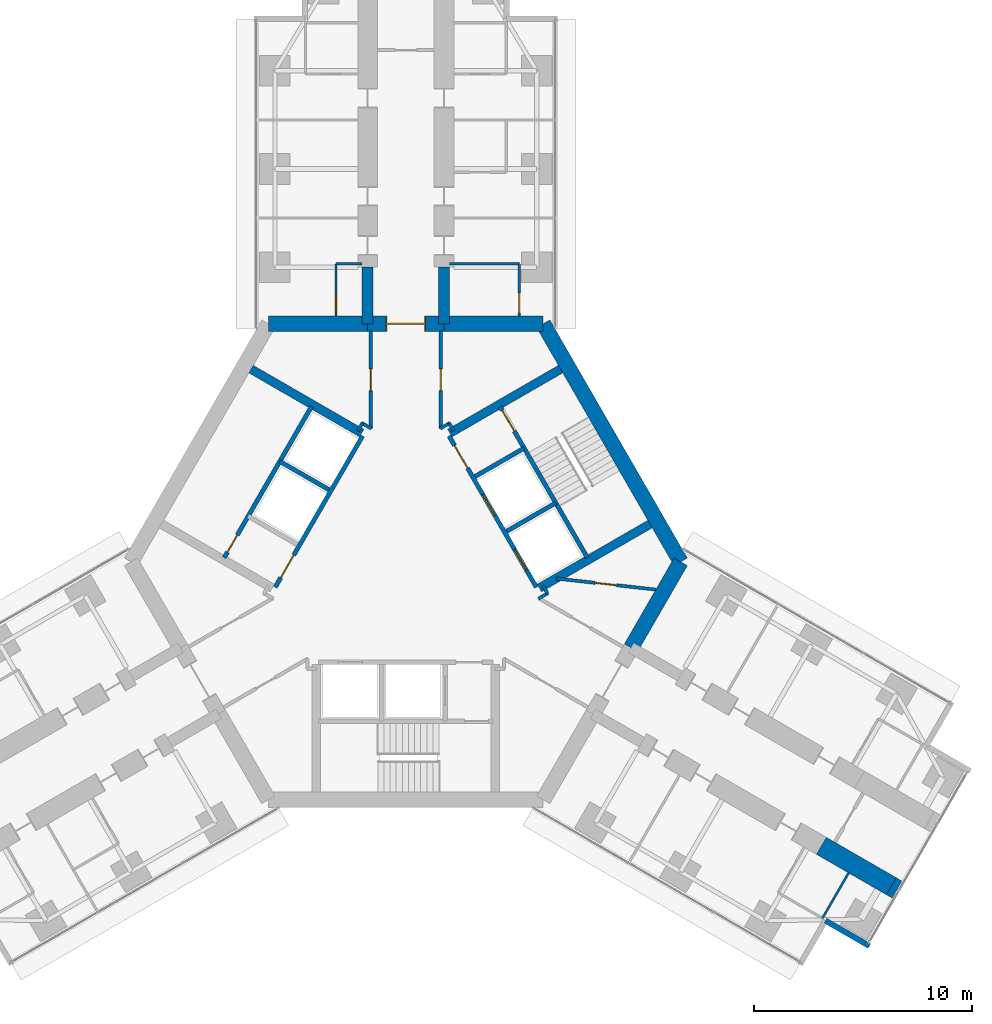
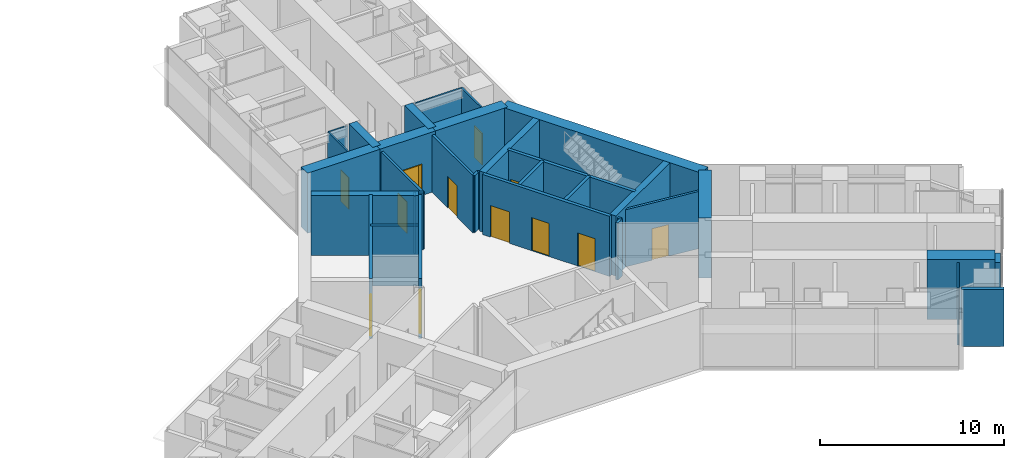
# One storey, part 22 of 25: 34 walls, 12 doors, 12 openings.
"""IFC4 building model written with IfcOpenShell, lengths in metres."""

import ifcopenshell
import ifcopenshell.guid

model = None  # the IFC model being written
_history = None  # IfcOwnerHistory: only IFC2X3 demands one
_inside = {}  # id of a spatial element -> (the spatial element, [elements in it])
_under = {}  # id of a project, library or spatial element -> (it, [spatial elements below it])
_declared = {}  # id of a project -> (the project, [libraries it declares])
_typed = {}  # id of a type object -> (the type object, [elements of that type])
_made_of = {}  # id of a material, layer set ... -> (it, [elements and type objects made of it])


def new_model(schema):
    """Start an empty IFC model of exactly this schema.

    Asked for "IFC4X3", IfcOpenShell would pick the latest addendum, in which some entities
    have other attributes; the version numbers below select the first issue.
    IFC2X3 requires an IfcOwnerHistory on every rooted entity: one is made here for all.
    """
    global model, _history
    if schema == "IFC4X3":
        model = ifcopenshell.file(schema_version=(4, 3, 0, 0))
    else:
        model = ifcopenshell.file(schema=schema)
    _inside.clear()
    _under.clear()
    _declared.clear()
    _typed.clear()
    _made_of.clear()
    _history = None
    if model.schema == "IFC2X3":
        org = make("IfcOrganization", Name="unknown")
        user = make(
            "IfcPersonAndOrganization",
            ThePerson=make("IfcPerson", FamilyName="unknown"),
            TheOrganization=org,
        )
        app = make(
            "IfcApplication",
            ApplicationDeveloper=org,
            Version="unknown",
            ApplicationFullName="unknown",
            ApplicationIdentifier="unknown",
        )
        _history = make(
            "IfcOwnerHistory",
            OwningUser=user,
            OwningApplication=app,
            ChangeAction="ADDED",
            CreationDate=0,
        )
    return model


def make(cls, **values):
    """One entity of the class cls with the attributes given. An attribute that is None is left unset."""
    return model.create_entity(
        cls, **{name: value for name, value in values.items() if value is not None}
    )


def rooted(cls, **values):
    """An entity with a GlobalId (a new one), such as an element, a storey or a relation."""
    return make(cls, GlobalId=ifcopenshell.guid.new(), OwnerHistory=_history, **values)


def si_unit(unit_type, name, prefix=None):
    """IfcSIUnit, for example si_unit("LENGTHUNIT", "METRE", prefix="MILLI")."""
    return make("IfcSIUnit", UnitType=unit_type, Prefix=prefix, Name=name)


def assignment(units):
    """IfcUnitAssignment: the units of a project."""
    return None if units is None else make("IfcUnitAssignment", Units=units)


def point(xyz):
    """IfcCartesianPoint."""
    return None if xyz is None else make("IfcCartesianPoint", Coordinates=xyz)


def direction(xyz):
    """IfcDirection."""
    return None if xyz is None else make("IfcDirection", DirectionRatios=xyz)


def frame(location, z_axis=None, x_axis=None):
    """IfcAxis2Placement3D, a coordinate frame: its origin and axes. An axis left out is left unset."""
    return make(
        "IfcAxis2Placement3D",
        Location=point(location),
        Axis=direction(z_axis),
        RefDirection=direction(x_axis),
    )


def frame_2d(location, x_axis=None):
    """IfcAxis2Placement2D, a coordinate frame in the plane: its origin and x axis."""
    return make(
        "IfcAxis2Placement2D", Location=point(location), RefDirection=direction(x_axis)
    )


def origin():
    """The frame at (0, 0, 0) with its axes left unset."""
    return frame((0.0, 0.0, 0.0))


def place(relative_to, where):
    """IfcLocalPlacement: puts the frame where relative to a parent placement (None: the world)."""
    return make(
        "IfcLocalPlacement", PlacementRelTo=relative_to, RelativePlacement=where
    )


def context(
    kind, dimensions, precision=None, world=None, true_north=None, identifier=None
):
    """IfcGeometricRepresentationContext, for example the 3D "Model" context."""
    return make(
        "IfcGeometricRepresentationContext",
        ContextIdentifier=identifier,
        ContextType=kind,
        CoordinateSpaceDimension=dimensions,
        Precision=precision,
        WorldCoordinateSystem=world,
        TrueNorth=true_north,
    )


def subcontext(parent, identifier, kind, view, scale=None):
    """IfcGeometricRepresentationSubContext, for example "Body" below "Model"."""
    return make(
        "IfcGeometricRepresentationSubContext",
        ContextIdentifier=identifier,
        ContextType=kind,
        ParentContext=parent,
        TargetScale=scale,
        TargetView=view,
    )


def project(units=None, contexts=None):
    """IfcProject with its units and contexts."""
    return rooted(
        "IfcProject",
        Name="project",
        RepresentationContexts=contexts,
        UnitsInContext=assignment(units),
    )


def spatial(cls, under=None, at=None, **own):
    """A site, building, storey or space (cls), placed at a placement, below another one or the project."""
    s = rooted(cls, ObjectPlacement=at, **own)
    if under is not None:
        _under.setdefault(under.id(), (under, []))[1].append(s)
    return s


def profile(cls, at=None, kind="AREA", **sizes):
    """A parametric profile (cls). Its sizes go by their IFC names, for example OverallWidth=200.0."""
    return make(cls, ProfileType=kind, Position=at, **sizes)


def rectangle(**sizes):
    """IfcRectangleProfileDef."""
    return profile("IfcRectangleProfileDef", **sizes)


def extrude(swept, where, along, depth):
    """IfcExtrudedAreaSolid: the profile swept, set in the frame where, extruded along a direction by depth."""
    return make(
        "IfcExtrudedAreaSolid",
        SweptArea=swept,
        Position=where,
        ExtrudedDirection=direction(along),
        Depth=depth,
    )


def shape(context_of_items, identifier, shape_type, items):
    """IfcShapeRepresentation: the items that make up one representation, for example the "Body"."""
    return make(
        "IfcShapeRepresentation",
        ContextOfItems=context_of_items,
        RepresentationIdentifier=identifier,
        RepresentationType=shape_type,
        Items=items,
    )


def material(Name=None, Category=None):
    """IfcMaterial."""
    return make("IfcMaterial", Name=Name, Category=Category)


def layer(
    of_material, thickness, ventilated=None, Name=None, Category=None, Priority=None
):
    """IfcMaterialLayer: one layer of a wall or slab, of a material (None: an air gap)."""
    return make(
        "IfcMaterialLayer",
        Material=of_material,
        LayerThickness=thickness,
        IsVentilated=ventilated,
        Name=Name,
        Category=Category,
        Priority=Priority,
    )


def layer_set(layers, Name=None):
    """IfcMaterialLayerSet."""
    return make("IfcMaterialLayerSet", MaterialLayers=layers, LayerSetName=Name)


def made_of(thing, what):
    """Note that an element or type object is made of a material, layer set ...; save() writes the relation."""
    if what is not None:
        _made_of.setdefault(what.id(), (what, []))[1].append(thing)
    return thing


def type_object(cls, material=None, **own):
    """A type object (cls), such as IfcWallType, which elements share."""
    return made_of(rooted(cls, **own), material)


def element(
    cls,
    number,
    at=None,
    inside=None,
    cuts=None,
    type_object=None,
    material=None,
    context=None,
    identifier="Body",
    shape_type=None,
    held_by="IfcProductDefinitionShape",
    body=None,
    shapes=None,
    **own,
):
    """One element of the class cls, such as IfcWall. Its Tag is "e" and its number.

    at: its placement. inside: the storey or other place that contains it. cuts: it is an
    opening in that element (IfcRelVoidsElement). A single representation is given by context,
    identifier, shape_type and body (its items); several are given by shapes. held_by: the class
    of the entity that holds the representations. save() writes the other relations.
    """
    e = rooted(cls, Tag="e%d" % number, ObjectPlacement=at, **own)
    if body is not None:
        shapes = [shape(context, identifier, shape_type, body)]
    if shapes is not None:
        e.Representation = make(held_by, Representations=shapes)
    if inside is not None:
        _inside.setdefault(inside.id(), (inside, []))[1].append(e)
    if cuts is not None:
        rooted(
            "IfcRelVoidsElement", RelatingBuildingElement=cuts, RelatedOpeningElement=e
        )
    if type_object is not None:
        _typed.setdefault(type_object.id(), (type_object, []))[1].append(e)
    return made_of(e, material)


def fill(opening, filler):
    """IfcRelFillsElement: the door or window that sits in an opening."""
    return rooted(
        "IfcRelFillsElement",
        RelatingOpeningElement=opening,
        RelatedBuildingElement=filler,
    )


def aggregate(whole, parts):
    """IfcRelAggregates: a whole, such as a stair, and the parts it consists of."""
    return rooted("IfcRelAggregates", RelatingObject=whole, RelatedObjects=parts)


def save(model, path):
    """Write the relations noted so far, then the file.

    IfcRelAggregates (storeys below a building ...), IfcRelContainedInSpatialStructure (elements
    in a storey), IfcRelDefinesByType, IfcRelAssociatesMaterial and IfcRelDeclares: one each for
    every whole, place, type object, material and project.
    """
    for whole, parts in _under.values():
        aggregate(whole, parts)
    for where, things in _inside.values():
        rooted(
            "IfcRelContainedInSpatialStructure",
            RelatedElements=things,
            RelatingStructure=where,
        )
    for kind, things in _typed.values():
        rooted("IfcRelDefinesByType", RelatedObjects=things, RelatingType=kind)
    for what, things in _made_of.values():
        rooted("IfcRelAssociatesMaterial", RelatedObjects=things, RelatingMaterial=what)
    for by, libraries in _declared.values():
        rooted("IfcRelDeclares", RelatingContext=by, RelatedDefinitions=libraries)
    model.write(path)


model = new_model("IFC4")

# Units and contexts
model_context = context("Model", 3, precision=1e-05, world=origin(), true_north=direction((0.0, 1.0)))
body_context = subcontext(model_context, "Body", "Model", "MODEL_VIEW")
ifc_project = project(units=[si_unit("LENGTHUNIT", "METRE"), si_unit("AREAUNIT", "SQUARE_METRE"), si_unit("VOLUMEUNIT", "CUBIC_METRE"), si_unit("PLANEANGLEUNIT", "RADIAN"), si_unit("MASSUNIT", "GRAM", prefix="KILO")], contexts=[model_context])

# Site, building, storey
site_placement = place(None, origin())
site = spatial("IfcSite", under=ifc_project, at=site_placement, CompositionType="ELEMENT")
building_placement = place(site_placement, origin())
building = spatial("IfcBuilding", under=site, at=building_placement, Name="Upepo Twin Towers", CompositionType="ELEMENT")
storey_placement = place(building_placement, frame((0.0, 0.0, 76.5)))
storey = spatial("IfcBuildingStorey", under=building, at=storey_placement, Name="L18", CompositionType="ELEMENT", Elevation=76.5)

# Walls
ifc_material_1 = material(Name="Dense concrete blockwork", Category="masonry")
ifc_layer_1 = layer(ifc_material_1, 0.89990234375)
ifc_layer_set_1 = layer_set([ifc_layer_1], Name="Buttress closer 900, blockwork with fire-stopping to the curtain wall")
wall_type_1 = type_object("IfcWallType", Name="Buttress closer 900, blockwork with fire-stopping to the curtain wall", PredefinedType="PARTITIONING", material=ifc_layer_set_1)
wall_1_placement = place(storey_placement, frame((80.747802734375, -32.865478515625, 0.0), z_axis=(0.0, 0.0, 1.0), x_axis=(0.866054481515, -0.499949632511, 0.0)))
element("IfcWall", 1, at=wall_1_placement, inside=storey, type_object=wall_type_1, Name="T2 L18 wing C buttress closer R", PredefinedType="PARTITIONING", context=body_context, shape_type="SweptSolid", body=[
    extrude(rectangle(XDim=0.31005859375, YDim=0.89990234375, at=frame_2d((0.155029296875, 0.0))), origin(), (0.0, 0.0, 1.0), 3.800048828125),
])
ifc_material_2 = material(Name="Concrete C60/75", Category="concrete")
ifc_layer_2 = layer(ifc_material_2, 0.5)
ifc_layer_set_2 = layer_set([ifc_layer_2], Name="Concrete C60/75")
wall_type_2 = type_object("IfcWallType", Name="Buttress wall 500 RC", PredefinedType="SHEAR", material=ifc_layer_set_2)
for number, where, z_axis, x_axis, name in (
    (2, (56.75, -7.091552734375, 0.0), (0.0, 0.0, 1.0), (0.0, 1.0, 0.0), "T2 wing A buttress wall L"),
    (3, (60.25, -7.091552734375, 0.0), (0.0, 0.0, 1.0), (0.0, 1.0, 0.0), "T2 wing A buttress wall R"),
):
    element("IfcWall", number, at=place(storey_placement, frame(where, z_axis=z_axis, x_axis=x_axis)), inside=storey, type_object=wall_type_2, Name=name, PredefinedType="SHEAR", context=body_context, shape_type="SweptSolid", body=[
        extrude(rectangle(XDim=2.591552734375, YDim=0.5, at=frame_2d((1.2958984375, 0.0))), origin(), (0.0, 0.0, 1.0), 4.0),
    ])
ifc_material_3 = material(Name="Concrete C60/75", Category="concrete")
ifc_layer_3 = layer(ifc_material_3, 0.89990234375)
ifc_layer_set_3 = layer_set([ifc_layer_3], Name="Concrete C60/75")
wall_type_3 = type_object("IfcWallType", Name="Buttress wall 900 RC", PredefinedType="SHEAR", material=ifc_layer_set_3)
wall_2_placement = place(storey_placement, frame((77.543701171875, -31.015625, 0.0), z_axis=(0.0, 0.0, 1.0), x_axis=(0.866029545028, -0.499992827086, 0.0)))
element("IfcWall", 4, at=wall_2_placement, inside=storey, type_object=wall_type_3, Name="T2 wing C buttress wall R part 3", PredefinedType="SHEAR", context=body_context, shape_type="SweptSolid", body=[
    extrude(rectangle(XDim=3.69970703125, YDim=0.89990234375, at=frame_2d((1.849853515625, 0.0))), origin(), (0.0, 0.0, 1.0), 4.0),
])
ifc_material_4 = material(Name="Concrete C60/75", Category="concrete")
ifc_layer_4 = layer(ifc_material_4, 0.699951171875)
ifc_layer_set_4 = layer_set([ifc_layer_4], Name="Concrete C60/75")
wall_type_4 = type_object("IfcWallType", Name="Core wall 700 RC", PredefinedType="SHEAR", material=ifc_layer_set_4)
wall_3_placement = place(storey_placement, frame((64.7978515625, -7.091552734375, 0.0), z_axis=(0.0, 0.0, 1.0), x_axis=(-1.0, 0.0, 0.0)))
element("IfcWall", 5, at=wall_3_placement, inside=storey, type_object=wall_type_4, Name="T2 core wall 000 R", PredefinedType="SHEAR", context=body_context, shape_type="SweptSolid", body=[
    extrude(rectangle(XDim=4.5478515625, YDim=0.699951171875, at=frame_2d((2.27392578125, 0.0))), origin(), (0.0, 0.0, 1.0), 4.0),
])

# Wall, opening, door
wall_4_placement = place(storey_placement, frame((60.25, -7.091552734375, 0.0), z_axis=(0.0, 0.0, 1.0), x_axis=(-1.0, 0.0, 0.0)))
wall_4 = element("IfcWall", 6, at=wall_4_placement, inside=storey, type_object=wall_type_4, Name="T2 core wall 000", PredefinedType="SHEAR", context=body_context, shape_type="SweptSolid", body=[
    extrude(rectangle(XDim=3.5, YDim=0.699951171875, at=frame_2d((1.75, 0.0))), origin(), (0.0, 0.0, 1.0), 4.0),
])
opening_1_placement = place(wall_4_placement, frame((0.85009765625, 0.0, 0.0)))
opening_1 = element("IfcOpeningElement", 7, at=opening_1_placement, cuts=wall_4, Name="Opening D2", PredefinedType="OPENING", context=body_context, shape_type="SweptSolid", body=[
    extrude(rectangle(XDim=1.800048828125, YDim=2.10009765625, at=frame_2d((0.89990234375, 1.050048828125))), frame((0.0, 0.35986328125, 0.0), z_axis=(0.0, -1.0, 0.0), x_axis=(1.0, 0.0, 0.0)), (0.0, 0.0, 1.0), 0.719970703125),
])
ifc_material_5 = material(Name="Timber doorset", Category="wood")
door_type_1 = type_object("IfcDoorType", Name="Corridor double door 1800 FD60", OperationType="DOUBLE_DOOR_DOUBLE_SWING", PredefinedType="DOOR", material=ifc_material_5)
door_1_placement = place(opening_1_placement, origin())
door_1 = element("IfcDoor", 8, at=door_1_placement, inside=storey, type_object=door_type_1, Name="T2 L18 wing A corridor door", OperationType="DOUBLE_DOOR_DOUBLE_SWING", OverallHeight=2.10009765625, OverallWidth=1.800048828125, PredefinedType="DOOR", context=body_context, shape_type="SweptSolid", body=[
    extrude(rectangle(XDim=1.720048828125, YDim=2.06009765625, at=frame_2d((0.89990234375, 1.030029296875))), frame((0.0, 0.02490234375, 0.0), z_axis=(0.0, -1.0, 0.0), x_axis=(1.0, 0.0, 0.0)), (0.0, 0.0, 1.0), 0.050048828125),
    extrude(rectangle(XDim=0.04, YDim=2.10009765625, at=frame_2d((0.02001953125, 1.050048828125))), frame((0.0, 0.349609375, 0.0), z_axis=(0.0, -1.0, 0.0), x_axis=(1.0, 0.0, 0.0)), (0.0, 0.0, 1.0), 0.699462890625),
    extrude(rectangle(XDim=0.04, YDim=2.10009765625, at=frame_2d((1.780029296875, 1.050048828125))), frame((0.0, 0.349609375, 0.0), z_axis=(0.0, -1.0, 0.0), x_axis=(1.0, 0.0, 0.0)), (0.0, 0.0, 1.0), 0.699462890625),
    extrude(rectangle(XDim=1.720048828125, YDim=0.04, at=frame_2d((0.89990234375, 2.080078125))), frame((0.0, 0.349609375, 0.0), z_axis=(0.0, -1.0, 0.0), x_axis=(1.0, 0.0, 0.0)), (0.0, 0.0, 1.0), 0.699462890625),
])
fill(opening_1, door_1)

# Walls
wall_5_placement = place(storey_placement, frame((56.75, -7.091552734375, 0.0), z_axis=(0.0, 0.0, 1.0), x_axis=(-1.0, 0.0, 0.0)))
element("IfcWall", 9, at=wall_5_placement, inside=storey, type_object=wall_type_4, Name="T2 core wall 000 L", PredefinedType="SHEAR", context=body_context, shape_type="SweptSolid", body=[
    extrude(rectangle(XDim=4.5478515625, YDim=0.699951171875, at=frame_2d((2.27392578125, 0.0))), origin(), (0.0, 0.0, 1.0), 4.0),
])
wall_6_placement = place(storey_placement, frame((68.82177734375, -21.938720703125, 0.0), z_axis=(0.0, 0.0, 1.0), x_axis=(0.500024481964, 0.866011268655, 0.0)))
element("IfcWall", 10, at=wall_6_placement, inside=storey, type_object=wall_type_4, Name="T2 core wall 240 L", PredefinedType="SHEAR", context=body_context, shape_type="SweptSolid", body=[
    extrude(rectangle(XDim=4.548095703125, YDim=0.699951171875, at=frame_2d((2.27392578125, 0.0))), origin(), (0.0, 0.0, 1.0), 4.0),
])
wall_7_placement = place(storey_placement, frame((71.095947265625, -18.0, 0.0), z_axis=(0.0, 0.0, 1.0), x_axis=(-0.500005998175, 0.866021940709, 0.0)))
element("IfcWall", 11, at=wall_7_placement, inside=storey, type_object=wall_type_4, Name="T2 core wall 300", PredefinedType="SHEAR", context=body_context, shape_type="SweptSolid", body=[
    extrude(rectangle(XDim=12.595947265625, YDim=0.699951171875, at=frame_2d((6.2978515625, 0.0))), origin(), (0.0, 0.0, 1.0), 4.0),
])
ifc_material_6 = material(Name="Blockwork with anodised aluminium cladding", Category="masonry")
ifc_layer_5 = layer(ifc_material_6, 0.25)
ifc_layer_set_5 = layer_set([ifc_layer_5], Name="Notch cladding wall 250, pale metal")
wall_type_5 = type_object("IfcWallType", Name="Notch cladding wall 250, pale metal", PredefinedType="STANDARD", material=ifc_layer_set_5)
wall_8_placement = place(storey_placement, frame((77.72998046875, -34.44287109375, 0.0), z_axis=(0.0, 0.0, 1.0), x_axis=(0.865998469481, -0.500046648681, 0.0)))
element("IfcWall", 12, at=wall_8_placement, inside=storey, type_object=wall_type_5, Name="T2 L18 wing C notch wall R2", PredefinedType="STANDARD", context=body_context, shape_type="SweptSolid", body=[
    extrude(rectangle(XDim=2.324951171875, YDim=0.25, at=frame_2d((1.16259765625, 0.0))), origin(), (0.0, 0.0, 1.0), 3.800048828125),
])

# Wall, opening, door
ifc_material_7 = material(Name="Gypsum board on steel studs", Category="steel")
ifc_layer_6 = layer(ifc_material_7, 0.10009765625)
ifc_layer_set_6 = layer_set([ifc_layer_6], Name="Office partition 100 stud")
wall_type_6 = type_object("IfcWallType", Name="Office partition 100 stud", PredefinedType="PARTITIONING", material=ifc_layer_set_6)
wall_9_placement = place(storey_placement, frame((55.300048828125, -6.741943359375, 0.0), z_axis=(0.0, 0.0, 1.0), x_axis=(0.0, 1.0, 0.0)))
wall_9 = element("IfcWall", 13, at=wall_9_placement, inside=storey, type_object=wall_type_6, Name="T2 WC bay partition AL at 11.26", PredefinedType="PARTITIONING", context=body_context, shape_type="SweptSolid", body=[
    extrude(rectangle(XDim=2.39990234375, YDim=0.10009765625, at=frame_2d((1.199951171875, 0.0))), origin(), (0.0, 0.0, 1.0), 3.800048828125),
])
opening_2_placement = place(wall_9_placement, frame((0.14990234375, 0.0, 0.0)))
opening_2 = element("IfcOpeningElement", 14, at=opening_2_placement, cuts=wall_9, Name="Opening D14", PredefinedType="OPENING", context=body_context, shape_type="SweptSolid", body=[
    extrude(rectangle(XDim=0.89990234375, YDim=2.10009765625, at=frame_2d((0.449951171875, 1.050048828125))), frame((0.0, 0.06005859375, 0.0), z_axis=(0.0, -1.0, 0.0), x_axis=(1.0, 0.0, 0.0)), (0.0, 0.0, 1.0), 0.1201171875),
])
ifc_material_8 = material(Name="Timber doorset", Category="wood")
door_type_2 = type_object("IfcDoorType", Name="Office door 900 FD30", OperationType="SINGLE_SWING_LEFT", PredefinedType="DOOR", material=ifc_material_8)
door_2_placement = place(opening_2_placement, origin())
door_2 = element("IfcDoor", 15, at=door_2_placement, inside=storey, type_object=door_type_2, Name="T2 L18 WC bay inner room door", OperationType="SINGLE_SWING_LEFT", OverallHeight=2.10009765625, OverallWidth=0.89990234375, PredefinedType="DOOR", context=body_context, shape_type="SweptSolid", body=[
    extrude(rectangle(XDim=0.89990234375, YDim=2.10009765625, at=frame_2d((0.449951171875, 1.050048828125))), frame((0.0, 0.02490234375, 0.0), z_axis=(0.0, -1.0, 0.0), x_axis=(1.0, 0.0, 0.0)), (0.0, 0.0, 1.0), 0.050048828125),
])
fill(opening_2, door_2)

# Wall
wall_10_placement = place(storey_placement, frame((56.5, -4.342041015625, 0.0), z_axis=(0.0, 0.0, 1.0), x_axis=(-1.0, 0.0, 0.0)))
element("IfcWall", 16, at=wall_10_placement, inside=storey, type_object=wall_type_6, Name="T2 WC bay partition AL end at 13.66", PredefinedType="PARTITIONING", context=body_context, shape_type="SweptSolid", body=[
    extrude(rectangle(XDim=1.199951171875, YDim=0.10009765625, at=frame_2d((0.60009765625, 0.0))), origin(), (0.0, 0.0, 1.0), 3.800048828125),
])

# Wall, opening, door
wall_11_placement = place(storey_placement, frame((63.699951171875, -6.741943359375, 0.0), z_axis=(0.0, 0.0, 1.0), x_axis=(0.0, 1.0, 0.0)))
wall_11 = element("IfcWall", 17, at=wall_11_placement, inside=storey, type_object=wall_type_6, Name="T2 WC bay partition AR at 11.26", PredefinedType="PARTITIONING", context=body_context, shape_type="SweptSolid", body=[
    extrude(rectangle(XDim=2.39990234375, YDim=0.10009765625, at=frame_2d((1.199951171875, 0.0))), origin(), (0.0, 0.0, 1.0), 3.800048828125),
])
opening_3_placement = place(wall_11_placement, frame((0.14990234375, 0.0, 0.0)))
opening_3 = element("IfcOpeningElement", 18, at=opening_3_placement, cuts=wall_11, Name="Opening D14", PredefinedType="OPENING", context=body_context, shape_type="SweptSolid", body=[
    extrude(rectangle(XDim=0.89990234375, YDim=2.10009765625, at=frame_2d((0.449951171875, 1.050048828125))), frame((0.0, 0.06005859375, 0.0), z_axis=(0.0, -1.0, 0.0), x_axis=(1.0, 0.0, 0.0)), (0.0, 0.0, 1.0), 0.1201171875),
])
door_3_placement = place(opening_3_placement, origin())
door_3 = element("IfcDoor", 19, at=door_3_placement, inside=storey, type_object=door_type_2, Name="T2 L18 WC bay inner room door", OperationType="SINGLE_SWING_LEFT", OverallHeight=2.10009765625, OverallWidth=0.89990234375, PredefinedType="DOOR", context=body_context, shape_type="SweptSolid", body=[
    extrude(rectangle(XDim=0.89990234375, YDim=2.10009765625, at=frame_2d((0.449951171875, 1.050048828125))), frame((0.0, 0.02490234375, 0.0), z_axis=(0.0, -1.0, 0.0), x_axis=(1.0, 0.0, 0.0)), (0.0, 0.0, 1.0), 0.050048828125),
])
fill(opening_3, door_3)

# Walls
wall_12_placement = place(storey_placement, frame((60.5, -4.342041015625, 0.0), z_axis=(0.0, 0.0, 1.0), x_axis=(1.0, 0.0, 0.0)))
element("IfcWall", 20, at=wall_12_placement, inside=storey, type_object=wall_type_6, Name="T2 WC bay partition AR end at 13.66", PredefinedType="PARTITIONING", context=body_context, shape_type="SweptSolid", body=[
    extrude(rectangle(XDim=3.199951171875, YDim=0.10009765625, at=frame_2d((1.60009765625, 0.0))), origin(), (0.0, 0.0, 1.0), 3.800048828125),
])
wall_13_placement = place(storey_placement, frame((78.790771484375, -32.25537109375, 0.0), z_axis=(0.0, 0.0, 1.0), x_axis=(-0.500001309137, -0.866024647952, 0.0)))
element("IfcWall", 21, at=wall_13_placement, inside=storey, type_object=wall_type_6, Name="T2 inner room partition CR end at 24.75", PredefinedType="PARTITIONING", context=body_context, shape_type="SweptSolid", body=[
    extrude(rectangle(XDim=2.39990234375, YDim=0.10009765625, at=frame_2d((1.199951171875, 0.0))), origin(), (0.0, 0.0, 1.0), 3.800048828125),
])

# Wall, opening, door
ifc_material_9 = material(Name="Concrete C40/50", Category="concrete")
ifc_layer_7 = layer(ifc_material_9, 0.199951171875)
ifc_layer_set_7 = layer_set([ifc_layer_7], Name="Concrete C40/50")
wall_type_7 = type_object("IfcWallType", Name="Shaft wall 200 RC", PredefinedType="SHEAR", material=ifc_layer_set_7)
wall_14_placement = place(storey_placement, frame((56.516357421875, -12.23583984375, 0.0), z_axis=(0.0, 0.0, 1.0), x_axis=(-0.49999894854, -0.866026010844, 0.0)))
wall_14 = element("IfcWall", 22, at=wall_14_placement, inside=storey, type_object=wall_type_7, Name="T2 core W60 front wall", PredefinedType="SHEAR", context=body_context, shape_type="SweptSolid", body=[
    extrude(rectangle(XDim=8.0, YDim=0.199951171875, at=frame_2d((4.0, 0.0))), origin(), (0.0, 0.0, 1.0), 4.0),
])
opening_4_placement = place(wall_14_placement, frame((6.300048828125, 0.0, 0.0)))
opening_4 = element("IfcOpeningElement", 23, at=opening_4_placement, cuts=wall_14, Name="Opening D4", PredefinedType="OPENING", context=body_context, shape_type="SweptSolid", body=[
    extrude(rectangle(XDim=1.199951171875, YDim=2.10009765625, at=frame_2d((0.60009765625, 1.050048828125))), frame((0.0, 0.10986328125, 0.0), z_axis=(0.0, -1.0, 0.0), x_axis=(1.0, 0.0, 0.0)), (0.0, 0.0, 1.0), 0.219970703125),
])
ifc_material_10 = material(Name="Timber doorset", Category="wood")
door_type_3 = type_object("IfcDoorType", Name="Lobby door 1200 FD60", OperationType="SINGLE_SWING_LEFT", PredefinedType="DOOR", material=ifc_material_10)
door_4_placement = place(opening_4_placement, origin())
door_4 = element("IfcDoor", 24, at=door_4_placement, inside=storey, type_object=door_type_3, Name="T2 L18 W60 lobby door", OperationType="SINGLE_SWING_RIGHT", OverallHeight=2.10009765625, OverallWidth=1.199951171875, PredefinedType="DOOR", context=body_context, shape_type="SweptSolid", body=[
    extrude(rectangle(XDim=1.199951171875, YDim=2.10009765625, at=frame_2d((0.60009765625, 1.050048828125))), frame((0.0, 0.02490234375, 0.0), z_axis=(0.0, -1.0, 0.0), x_axis=(1.0, 0.0, 0.0)), (0.0, 0.0, 1.0), 0.050048828125),
])
fill(opening_4, door_4)

# Wall
wall_15_placement = place(storey_placement, frame((54.979736328125, -14.697265625, 0.0), z_axis=(0.0, 0.0, 1.0), x_axis=(-0.866062058628, 0.499936506574, 0.0)))
element("IfcWall", 25, at=wall_15_placement, inside=storey, type_object=wall_type_7, Name="T2 core W60 shaft divider", PredefinedType="SHEAR", context=body_context, shape_type="SweptSolid", body=[
    extrude(rectangle(XDim=2.599853515625, YDim=0.199951171875, at=frame_2d((1.2998046875, 0.0))), origin(), (0.0, 0.0, 1.0), 4.0),
])

# Wall, opening, door
wall_16_placement = place(storey_placement, frame((54.177978515625, -10.885986328125, 0.0), z_axis=(0.0, 0.0, 1.0), x_axis=(-0.49999894854, -0.866026010844, 0.0)))
wall_16 = element("IfcWall", 26, at=wall_16_placement, inside=storey, type_object=wall_type_7, Name="T2 core W60 stair wall", PredefinedType="SHEAR", context=body_context, shape_type="SweptSolid", body=[
    extrude(rectangle(XDim=8.0, YDim=0.199951171875, at=frame_2d((4.0, 0.0))), origin(), (0.0, 0.0, 1.0), 4.0),
])
opening_5_placement = place(wall_16_placement, frame((6.800048828125, 0.0, 0.0)))
opening_5 = element("IfcOpeningElement", 27, at=opening_5_placement, cuts=wall_16, Name="Opening D9", PredefinedType="OPENING", context=body_context, shape_type="SweptSolid", body=[
    extrude(rectangle(XDim=0.89990234375, YDim=2.10009765625, at=frame_2d((0.449951171875, 1.050048828125))), frame((0.0, 0.10986328125, 0.0), z_axis=(0.0, -1.0, 0.0), x_axis=(1.0, 0.0, 0.0)), (0.0, 0.0, 1.0), 0.219970703125),
])
ifc_material_11 = material(Name="Timber doorset", Category="wood")
door_type_4 = type_object("IfcDoorType", Name="Riser door 900 FD60", OperationType="SINGLE_SWING_LEFT", PredefinedType="DOOR", material=ifc_material_11)
door_5_placement = place(opening_5_placement, origin())
door_5 = element("IfcDoor", 28, at=door_5_placement, inside=storey, type_object=door_type_4, Name="T2 L18 riser door", OperationType="SINGLE_SWING_RIGHT", OverallHeight=2.10009765625, OverallWidth=0.89990234375, PredefinedType="DOOR", context=body_context, shape_type="SweptSolid", body=[
    extrude(rectangle(XDim=0.89990234375, YDim=2.10009765625, at=frame_2d((0.449951171875, 1.050048828125))), frame((0.0, 0.02490234375, 0.0), z_axis=(0.0, -1.0, 0.0), x_axis=(1.0, 0.0, 0.0)), (0.0, 0.0, 1.0), 0.050048828125),
])
fill(opening_5, door_5)

# Wall, openings, doors
wall_17_placement = place(storey_placement, frame((64.483642578125, -19.1640625, 0.0), z_axis=(0.0, 0.0, 1.0), x_axis=(-0.49999894854, 0.866026010844, 0.0)))
wall_17 = element("IfcWall", 29, at=wall_17_placement, inside=storey, type_object=wall_type_7, Name="T2 core W300 front wall", PredefinedType="SHEAR", context=body_context, shape_type="SweptSolid", body=[
    extrude(rectangle(XDim=8.0, YDim=0.199951171875, at=frame_2d((4.0, 0.0))), origin(), (0.0, 0.0, 1.0), 4.0),
])
opening_6_placement = place(wall_17_placement, frame((6.300048828125, 0.0, 0.0)))
opening_6 = element("IfcOpeningElement", 30, at=opening_6_placement, cuts=wall_17, Name="Opening D4", PredefinedType="OPENING", context=body_context, shape_type="SweptSolid", body=[
    extrude(rectangle(XDim=1.199951171875, YDim=2.10009765625, at=frame_2d((0.60009765625, 1.050048828125))), frame((0.0, 0.10986328125, 0.0), z_axis=(0.0, -1.0, 0.0), x_axis=(1.0, 0.0, 0.0)), (0.0, 0.0, 1.0), 0.219970703125),
])
opening_7_placement = place(wall_17_placement, frame((0.89990234375, 0.0, 0.0)))
opening_7 = element("IfcOpeningElement", 31, at=opening_7_placement, cuts=wall_17, Name="Opening LD1", PredefinedType="OPENING", context=body_context, shape_type="SweptSolid", body=[
    extrude(rectangle(XDim=1.10009765625, YDim=2.199951171875, at=frame_2d((0.550048828125, 1.10009765625))), frame((0.0, 0.10986328125, 0.0), z_axis=(0.0, -1.0, 0.0), x_axis=(1.0, 0.0, 0.0)), (0.0, 0.0, 1.0), 0.219970703125),
])
opening_8_placement = place(wall_17_placement, frame((3.800048828125, 0.0, 0.0)))
opening_8 = element("IfcOpeningElement", 32, at=opening_8_placement, cuts=wall_17, Name="Opening LD1", PredefinedType="OPENING", context=body_context, shape_type="SweptSolid", body=[
    extrude(rectangle(XDim=1.10009765625, YDim=2.199951171875, at=frame_2d((0.550048828125, 1.10009765625))), frame((0.0, 0.10986328125, 0.0), z_axis=(0.0, -1.0, 0.0), x_axis=(1.0, 0.0, 0.0)), (0.0, 0.0, 1.0), 0.219970703125),
])
ifc_material_12 = material(Name="Steel doorset", Category="steel")
door_type_5 = type_object("IfcDoorType", Name="Lift landing door 1100", OperationType="DOUBLE_DOOR_SLIDING", PredefinedType="DOOR", material=ifc_material_12)
door_6_placement = place(opening_7_placement, origin())
door_6 = element("IfcDoor", 33, at=door_6_placement, inside=storey, type_object=door_type_5, Name="T2 L18 lift LL1 landing door", OperationType="DOUBLE_DOOR_SLIDING", OverallHeight=2.199951171875, OverallWidth=1.10009765625, PredefinedType="DOOR", context=body_context, shape_type="SweptSolid", body=[
    extrude(rectangle(XDim=1.10009765625, YDim=2.199951171875, at=frame_2d((0.550048828125, 1.10009765625))), frame((0.0, 0.02490234375, 0.0), z_axis=(0.0, -1.0, 0.0), x_axis=(1.0, 0.0, 0.0)), (0.0, 0.0, 1.0), 0.050048828125),
])
fill(opening_7, door_6)
door_7_placement = place(opening_8_placement, origin())
door_7 = element("IfcDoor", 34, at=door_7_placement, inside=storey, type_object=door_type_5, Name="T2 L18 lift LL2 landing door", OperationType="DOUBLE_DOOR_SLIDING", OverallHeight=2.199951171875, OverallWidth=1.10009765625, PredefinedType="DOOR", context=body_context, shape_type="SweptSolid", body=[
    extrude(rectangle(XDim=1.10009765625, YDim=2.199951171875, at=frame_2d((0.550048828125, 1.10009765625))), frame((0.0, 0.02490234375, 0.0), z_axis=(0.0, -1.0, 0.0), x_axis=(1.0, 0.0, 0.0)), (0.0, 0.0, 1.0), 0.050048828125),
])
fill(opening_8, door_7)
door_8_placement = place(opening_6_placement, origin())
door_8 = element("IfcDoor", 35, at=door_8_placement, inside=storey, type_object=door_type_3, Name="T2 L18 W300 lobby door", OperationType="SINGLE_SWING_RIGHT", OverallHeight=2.10009765625, OverallWidth=1.199951171875, PredefinedType="DOOR", context=body_context, shape_type="SweptSolid", body=[
    extrude(rectangle(XDim=1.199951171875, YDim=2.10009765625, at=frame_2d((0.60009765625, 1.050048828125))), frame((0.0, 0.02490234375, 0.0), z_axis=(0.0, -1.0, 0.0), x_axis=(1.0, 0.0, 0.0)), (0.0, 0.0, 1.0), 0.050048828125),
])
fill(opening_6, door_8)

# Walls
wall_18_placement = place(storey_placement, frame((63.120361328125, -16.6025390625, 0.0), z_axis=(0.0, 0.0, 1.0), x_axis=(0.866062058628, 0.499936506574, 0.0)))
element("IfcWall", 36, at=wall_18_placement, inside=storey, type_object=wall_type_7, Name="T2 core W300 shaft divider", PredefinedType="SHEAR", context=body_context, shape_type="SweptSolid", body=[
    extrude(rectangle(XDim=2.599853515625, YDim=0.199951171875, at=frame_2d((1.2998046875, 0.0))), origin(), (0.0, 0.0, 1.0), 4.0),
])
wall_19_placement = place(storey_placement, frame((61.67041015625, -14.091064453125, 0.0), z_axis=(0.0, 0.0, 1.0), x_axis=(0.86603858612, 0.49997716683, 0.0)))
element("IfcWall", 37, at=wall_19_placement, inside=storey, type_object=wall_type_7, Name="T2 core W300 lobby wall", PredefinedType="SHEAR", context=body_context, shape_type="SweptSolid", body=[
    extrude(rectangle(XDim=2.599609375, YDim=0.199951171875, at=frame_2d((1.2998046875, 0.0))), origin(), (0.0, 0.0, 1.0), 4.0),
])

# Wall, opening, door
wall_20_placement = place(storey_placement, frame((66.822021484375, -17.814208984375, 0.0), z_axis=(0.0, 0.0, 1.0), x_axis=(-0.49999894854, 0.866026010844, 0.0)))
wall_20 = element("IfcWall", 38, at=wall_20_placement, inside=storey, type_object=wall_type_7, Name="T2 core W300 stair wall", PredefinedType="SHEAR", context=body_context, shape_type="SweptSolid", body=[
    extrude(rectangle(XDim=8.0, YDim=0.199951171875, at=frame_2d((4.0, 0.0))), origin(), (0.0, 0.0, 1.0), 4.0),
])
opening_9_placement = place(wall_20_placement, frame((6.699951171875, 0.0, 0.0)))
opening_9 = element("IfcOpeningElement", 39, at=opening_9_placement, cuts=wall_20, Name="Opening D3", PredefinedType="OPENING", context=body_context, shape_type="SweptSolid", body=[
    extrude(rectangle(XDim=1.10009765625, YDim=2.10009765625, at=frame_2d((0.550048828125, 1.050048828125))), frame((0.0, 0.10986328125, 0.0), z_axis=(0.0, -1.0, 0.0), x_axis=(1.0, 0.0, 0.0)), (0.0, 0.0, 1.0), 0.219970703125),
])
ifc_material_13 = material(Name="Timber doorset", Category="wood")
door_type_6 = type_object("IfcDoorType", Name="Stair door 1100 FD60", OperationType="SINGLE_SWING_LEFT", PredefinedType="DOOR", material=ifc_material_13)
door_9_placement = place(opening_9_placement, origin())
door_9 = element("IfcDoor", 40, at=door_9_placement, inside=storey, type_object=door_type_6, Name="T2 L18 stair door", OperationType="SINGLE_SWING_RIGHT", OverallHeight=2.10009765625, OverallWidth=1.10009765625, PredefinedType="DOOR", context=body_context, shape_type="SweptSolid", body=[
    extrude(rectangle(XDim=1.10009765625, YDim=2.10009765625, at=frame_2d((0.550048828125, 1.050048828125))), frame((0.0, 0.02490234375, 0.0), z_axis=(0.0, -1.0, 0.0), x_axis=(1.0, 0.0, 0.0)), (0.0, 0.0, 1.0), 0.050048828125),
])
fill(opening_9, door_9)

# Walls
ifc_material_14 = material(Name="Concrete C40/50", Category="concrete")
ifc_layer_8 = layer(ifc_material_14, 0.39990234375)
ifc_layer_set_8 = layer_set([ifc_layer_8], Name="Concrete C40/50")
wall_type_8 = type_object("IfcWallType", Name="Shaft wall 400 RC", PredefinedType="SHEAR", material=ifc_layer_set_8)
for number, where, z_axis, x_axis, name in (
    (41, (56.479736328125, -12.099365234375, 0.0), (0.0, 0.0, 1.0), (-0.866023886965, 0.500002627198, 0.0), "T2 core W60 side wall S"),
    (42, (60.520263671875, -12.099365234375, 0.0), (0.0, 0.0, 1.0), (0.866023886965, 0.500002627198, 0.0), "T2 core W300 side wall N"),
    (43, (64.620361328125, -19.20068359375, 0.0), (0.0, 0.0, 1.0), (0.866023886965, 0.500002627198, 0.0), "T2 core W300 side wall S"),
):
    element("IfcWall", number, at=place(storey_placement, frame(where, z_axis=z_axis, x_axis=x_axis)), inside=storey, type_object=wall_type_8, Name=name, PredefinedType="SHEAR", context=body_context, shape_type="SweptSolid", body=[
        extrude(rectangle(XDim=5.8583984375, YDim=0.39990234375, at=frame_2d((2.92919921875, 0.0))), origin(), (0.0, 0.0, 1.0), 4.0),
    ])
ifc_material_15 = material(Name="Gypsum board on steel studs", Category="steel")
ifc_layer_9 = layer(ifc_material_15, 0.14990234375)
ifc_layer_set_9 = layer_set([ifc_layer_9], Name="Teaching partition 150 acoustic")
wall_type_9 = type_object("IfcWallType", Name="Teaching partition 150 acoustic", PredefinedType="PARTITIONING", material=ifc_layer_set_9)
wall_21_placement = place(storey_placement, frame((56.301513671875, -12.0078125, 0.0), z_axis=(0.0, 0.0, 1.0), x_axis=(0.500230298122, 0.865892400268, 0.0)))
element("IfcWall", 44, at=wall_21_placement, inside=storey, type_object=wall_type_9, Name="T2 core room partition 6", PredefinedType="PARTITIONING", context=body_context, shape_type="SweptSolid", body=[
    extrude(rectangle(XDim=0.429931640625, YDim=0.14990234375, at=frame_2d((0.21484375, 0.0))), origin(), (0.0, 0.0, 1.0), 3.800048828125),
])
wall_22_placement = place(storey_placement, frame((56.4892578125, -11.642822265625, 0.0), z_axis=(0.0, 0.0, 1.0), x_axis=(0.865831790172, -0.50033519877, 0.0)))
element("IfcWall", 45, at=wall_22_placement, inside=storey, type_object=wall_type_9, Name="T2 core room partition 7", PredefinedType="PARTITIONING", context=body_context, shape_type="SweptSolid", body=[
    extrude(rectangle(XDim=0.494384765625, YDim=0.14990234375, at=frame_2d((0.2470703125, 0.0))), origin(), (0.0, 0.0, 1.0), 3.800048828125),
])

# Wall, opening, door
wall_23_placement = place(storey_placement, frame((56.89990234375, -11.900146484375, 0.0), z_axis=(0.0, 0.0, 1.0), x_axis=(0.0, 1.0, 0.0)))
wall_23 = element("IfcWall", 46, at=wall_23_placement, inside=storey, type_object=wall_type_9, Name="T2 core room partition 8", PredefinedType="PARTITIONING", context=body_context, shape_type="SweptSolid", body=[
    extrude(rectangle(XDim=4.468505859375, YDim=0.14990234375, at=frame_2d((2.234375, 0.0))), origin(), (0.0, 0.0, 1.0), 3.800048828125),
])
opening_10_placement = place(wall_23_placement, frame((1.744384765625, 0.0, 0.0)))
opening_10 = element("IfcOpeningElement", 47, at=opening_10_placement, cuts=wall_23, Name="Opening D1", PredefinedType="OPENING", context=body_context, shape_type="SweptSolid", body=[
    extrude(rectangle(XDim=1.0, YDim=2.10009765625, at=frame_2d((0.5, 1.050048828125))), frame((0.0, 0.0849609375, 0.0), z_axis=(0.0, -1.0, 0.0), x_axis=(1.0, 0.0, 0.0)), (0.0, 0.0, 1.0), 0.169921875),
])
ifc_material_16 = material(Name="Timber doorset", Category="wood")
door_type_7 = type_object("IfcDoorType", Name="Room door 1000 FD30", OperationType="SINGLE_SWING_LEFT", PredefinedType="DOOR", material=ifc_material_16)
door_10_placement = place(opening_10_placement, origin())
door_10 = element("IfcDoor", 48, at=door_10_placement, inside=storey, type_object=door_type_7, Name="T2 L18 core room door K7", OperationType="SINGLE_SWING_RIGHT", OverallHeight=2.10009765625, OverallWidth=1.0, PredefinedType="DOOR", context=body_context, shape_type="SweptSolid", body=[
    extrude(rectangle(XDim=1.0, YDim=2.10009765625, at=frame_2d((0.5, 1.050048828125))), frame((0.0, 0.02490234375, 0.0), z_axis=(0.0, -1.0, 0.0), x_axis=(1.0, 0.0, 0.0)), (0.0, 0.0, 1.0), 0.050048828125),
])
fill(opening_10, door_10)

wall_24_placement = place(storey_placement, frame((60.10009765625, -7.431640625, 0.0), z_axis=(0.0, 0.0, 1.0), x_axis=(0.0, -1.0, 0.0)))
wall_24 = element("IfcWall", 49, at=wall_24_placement, inside=storey, type_object=wall_type_9, Name="T2 core room partition 9", PredefinedType="PARTITIONING", context=body_context, shape_type="SweptSolid", body=[
    extrude(rectangle(XDim=4.468505859375, YDim=0.14990234375, at=frame_2d((2.234375, 0.0))), origin(), (0.0, 0.0, 1.0), 3.800048828125),
])
opening_11_placement = place(wall_24_placement, frame((1.72412109375, 0.0, 0.0)))
opening_11 = element("IfcOpeningElement", 50, at=opening_11_placement, cuts=wall_24, Name="Opening D1", PredefinedType="OPENING", context=body_context, shape_type="SweptSolid", body=[
    extrude(rectangle(XDim=1.0, YDim=2.10009765625, at=frame_2d((0.5, 1.050048828125))), frame((0.0, 0.0849609375, 0.0), z_axis=(0.0, -1.0, 0.0), x_axis=(1.0, 0.0, 0.0)), (0.0, 0.0, 1.0), 0.169921875),
])
door_11_placement = place(opening_11_placement, origin())
door_11 = element("IfcDoor", 51, at=door_11_placement, inside=storey, type_object=door_type_7, Name="T2 L18 core room door K6", OperationType="SINGLE_SWING_LEFT", OverallHeight=2.10009765625, OverallWidth=1.0, PredefinedType="DOOR", context=body_context, shape_type="SweptSolid", body=[
    extrude(rectangle(XDim=1.0, YDim=2.10009765625, at=frame_2d((0.5, 1.050048828125))), frame((0.0, 0.02490234375, 0.0), z_axis=(0.0, -1.0, 0.0), x_axis=(1.0, 0.0, 0.0)), (0.0, 0.0, 1.0), 0.050048828125),
])
fill(opening_11, door_11)

# Walls
wall_25_placement = place(storey_placement, frame((60.082763671875, -11.89013671875, 0.0), z_axis=(0.0, 0.0, 1.0), x_axis=(0.865831790172, 0.50033519877, 0.0)))
element("IfcWall", 52, at=wall_25_placement, inside=storey, type_object=wall_type_9, Name="T2 core room partition 10", PredefinedType="PARTITIONING", context=body_context, shape_type="SweptSolid", body=[
    extrude(rectangle(XDim=0.494384765625, YDim=0.14990234375, at=frame_2d((0.2470703125, 0.0))), origin(), (0.0, 0.0, 1.0), 3.800048828125),
])
for number, where, z_axis, x_axis, name in (
    (53, (60.4833984375, -11.635498046875, 0.0), (0.0, 0.0, 1.0), (0.500230298122, -0.865892400268, 0.0), "T2 core room partition 11"),
    (54, (64.78857421875, -19.092041015625, 0.0), (0.0, 0.0, 1.0), (0.499804398801, -0.866138304741, 0.0), "T2 core room partition 12"),
):
    element("IfcWall", number, at=place(storey_placement, frame(where, z_axis=z_axis, x_axis=x_axis)), inside=storey, type_object=wall_type_9, Name=name, PredefinedType="PARTITIONING", context=body_context, shape_type="SweptSolid", body=[
        extrude(rectangle(XDim=0.429931640625, YDim=0.14990234375, at=frame_2d((0.21484375, 0.0))), origin(), (0.0, 0.0, 1.0), 3.800048828125),
    ])
wall_26_placement = place(storey_placement, frame((65.0107421875, -19.43701171875, 0.0), z_axis=(0.0, 0.0, 1.0), x_axis=(-0.865831790172, -0.50033519877, 0.0)))
element("IfcWall", 55, at=wall_26_placement, inside=storey, type_object=wall_type_9, Name="T2 core room partition 13", PredefinedType="PARTITIONING", context=body_context, shape_type="SweptSolid", body=[
    extrude(rectangle(XDim=0.494384765625, YDim=0.14990234375, at=frame_2d((0.2470703125, 0.0))), origin(), (0.0, 0.0, 1.0), 3.800048828125),
])

# Wall, opening, door
wall_27_placement = place(storey_placement, frame((65.376953125, -18.763916015625, 0.0), z_axis=(0.0, 0.0, 1.0), x_axis=(0.993886318744, -0.110408266965, 0.0)))
wall_27 = element("IfcWall", 56, at=wall_27_placement, inside=storey, type_object=wall_type_9, Name="T2 core room partition 19", PredefinedType="PARTITIONING", context=body_context, shape_type="SweptSolid", body=[
    extrude(rectangle(XDim=4.608154296875, YDim=0.14990234375, at=frame_2d((2.30419921875, 0.0))), origin(), (0.0, 0.0, 1.0), 3.800048828125),
])
opening_12_placement = place(wall_27_placement, frame((1.80419921875, 0.0, 0.0)))
opening_12 = element("IfcOpeningElement", 57, at=opening_12_placement, cuts=wall_27, Name="Opening D1", PredefinedType="OPENING", context=body_context, shape_type="SweptSolid", body=[
    extrude(rectangle(XDim=1.0, YDim=2.10009765625, at=frame_2d((0.5, 1.050048828125))), frame((0.0, 0.0849609375, 0.0), z_axis=(0.0, -1.0, 0.0), x_axis=(1.0, 0.0, 0.0)), (0.0, 0.0, 1.0), 0.169921875),
])
door_12_placement = place(opening_12_placement, origin())
door_12 = element("IfcDoor", 58, at=door_12_placement, inside=storey, type_object=door_type_7, Name="T2 L18 core room door K5", OperationType="SINGLE_SWING_LEFT", OverallHeight=2.10009765625, OverallWidth=1.0, PredefinedType="DOOR", context=body_context, shape_type="SweptSolid", body=[
    extrude(rectangle(XDim=1.0, YDim=2.10009765625, at=frame_2d((0.5, 1.050048828125))), frame((0.0, 0.02490234375, 0.0), z_axis=(0.0, -1.0, 0.0), x_axis=(1.0, 0.0, 0.0)), (0.0, 0.0, 1.0), 0.050048828125),
])
fill(opening_12, door_12)

save(model, "model.ifc")
